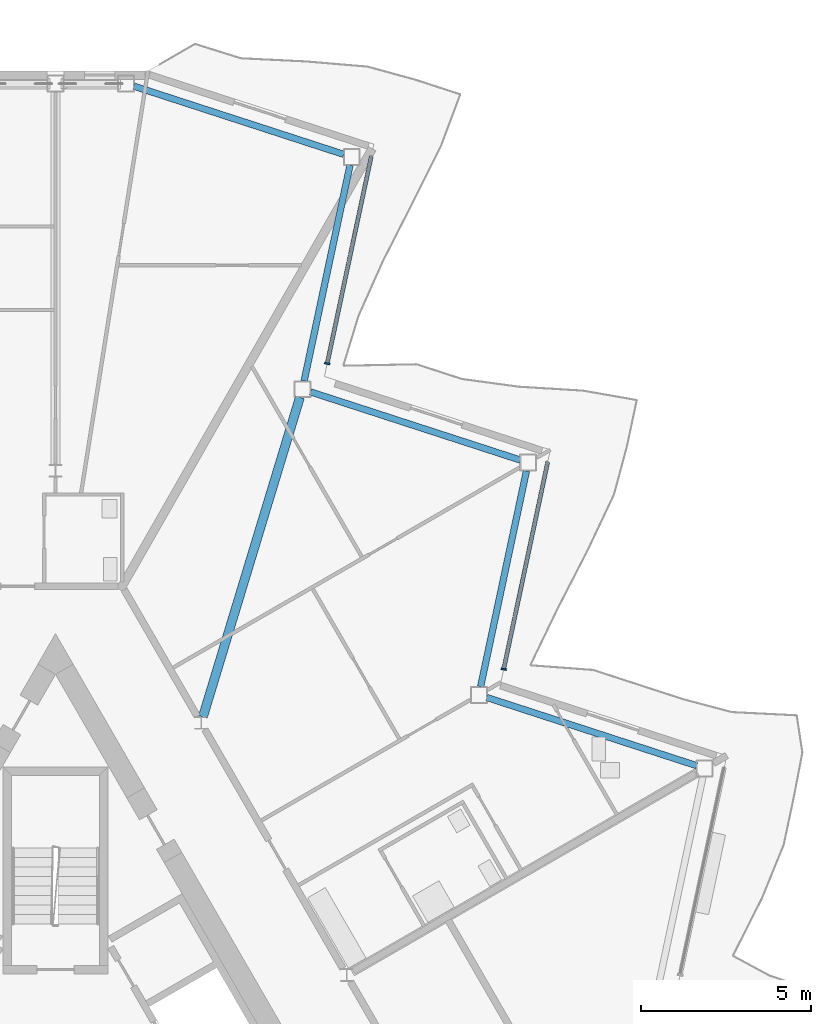
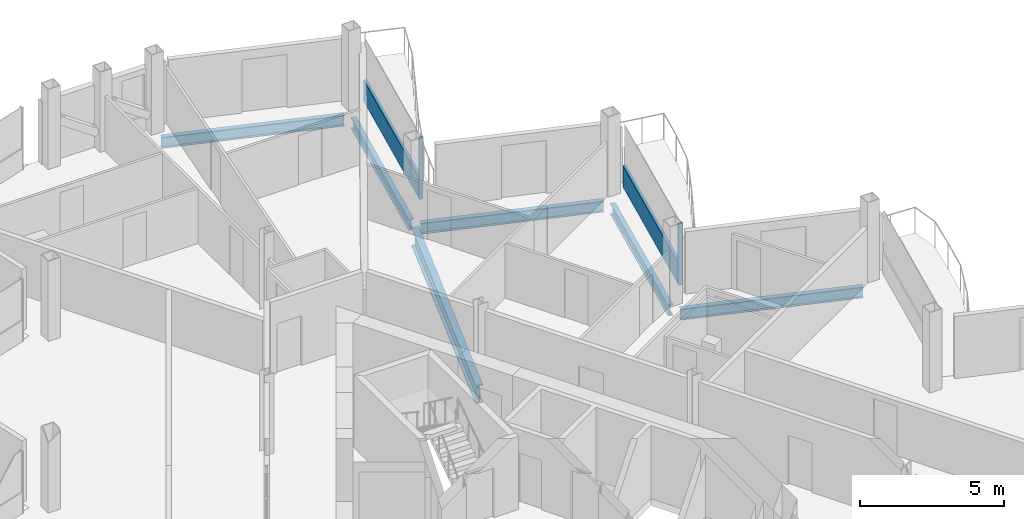
# One storey, part 10 of 26: 6 beams, 4 members, 2 elements without a shape of their own.
"""IFC4 building model written with IfcOpenShell, lengths in metres."""

import ifcopenshell
import ifcopenshell.guid

model = None  # the IFC model being written
_history = None  # IfcOwnerHistory: only IFC2X3 demands one
_inside = {}  # id of a spatial element -> (the spatial element, [elements in it])
_under = {}  # id of a project, library or spatial element -> (it, [spatial elements below it])
_declared = {}  # id of a project -> (the project, [libraries it declares])
_typed = {}  # id of a type object -> (the type object, [elements of that type])
_made_of = {}  # id of a material, layer set ... -> (it, [elements and type objects made of it])


def new_model(schema):
    """Start an empty IFC model of exactly this schema.

    Asked for "IFC4X3", IfcOpenShell would pick the latest addendum, in which some entities
    have other attributes; the version numbers below select the first issue.
    IFC2X3 requires an IfcOwnerHistory on every rooted entity: one is made here for all.
    """
    global model, _history
    if schema == "IFC4X3":
        model = ifcopenshell.file(schema_version=(4, 3, 0, 0))
    else:
        model = ifcopenshell.file(schema=schema)
    _inside.clear()
    _under.clear()
    _declared.clear()
    _typed.clear()
    _made_of.clear()
    _history = None
    if model.schema == "IFC2X3":
        org = make("IfcOrganization", Name="unknown")
        user = make(
            "IfcPersonAndOrganization",
            ThePerson=make("IfcPerson", FamilyName="unknown"),
            TheOrganization=org,
        )
        app = make(
            "IfcApplication",
            ApplicationDeveloper=org,
            Version="unknown",
            ApplicationFullName="unknown",
            ApplicationIdentifier="unknown",
        )
        _history = make(
            "IfcOwnerHistory",
            OwningUser=user,
            OwningApplication=app,
            ChangeAction="ADDED",
            CreationDate=0,
        )
    return model


def make(cls, **values):
    """One entity of the class cls with the attributes given. An attribute that is None is left unset."""
    return model.create_entity(
        cls, **{name: value for name, value in values.items() if value is not None}
    )


def rooted(cls, **values):
    """An entity with a GlobalId (a new one), such as an element, a storey or a relation."""
    return make(cls, GlobalId=ifcopenshell.guid.new(), OwnerHistory=_history, **values)


def si_unit(unit_type, name, prefix=None):
    """IfcSIUnit, for example si_unit("LENGTHUNIT", "METRE", prefix="MILLI")."""
    return make("IfcSIUnit", UnitType=unit_type, Prefix=prefix, Name=name)


def assignment(units):
    """IfcUnitAssignment: the units of a project."""
    return None if units is None else make("IfcUnitAssignment", Units=units)


def point(xyz):
    """IfcCartesianPoint."""
    return None if xyz is None else make("IfcCartesianPoint", Coordinates=xyz)


def direction(xyz):
    """IfcDirection."""
    return None if xyz is None else make("IfcDirection", DirectionRatios=xyz)


def frame(location, z_axis=None, x_axis=None):
    """IfcAxis2Placement3D, a coordinate frame: its origin and axes. An axis left out is left unset."""
    return make(
        "IfcAxis2Placement3D",
        Location=point(location),
        Axis=direction(z_axis),
        RefDirection=direction(x_axis),
    )


def frame_2d(location, x_axis=None):
    """IfcAxis2Placement2D, a coordinate frame in the plane: its origin and x axis."""
    return make(
        "IfcAxis2Placement2D", Location=point(location), RefDirection=direction(x_axis)
    )


def origin():
    """The frame at (0, 0, 0) with its axes left unset."""
    return frame((0.0, 0.0, 0.0))


def origin_2d():
    """The frame at (0, 0) in the plane with its x axis left unset."""
    return frame_2d((0.0, 0.0))


def place(relative_to, where):
    """IfcLocalPlacement: puts the frame where relative to a parent placement (None: the world)."""
    return make(
        "IfcLocalPlacement", PlacementRelTo=relative_to, RelativePlacement=where
    )


def context(
    kind, dimensions, precision=None, world=None, true_north=None, identifier=None
):
    """IfcGeometricRepresentationContext, for example the 3D "Model" context."""
    return make(
        "IfcGeometricRepresentationContext",
        ContextIdentifier=identifier,
        ContextType=kind,
        CoordinateSpaceDimension=dimensions,
        Precision=precision,
        WorldCoordinateSystem=world,
        TrueNorth=true_north,
    )


def subcontext(parent, identifier, kind, view, scale=None):
    """IfcGeometricRepresentationSubContext, for example "Body" below "Model"."""
    return make(
        "IfcGeometricRepresentationSubContext",
        ContextIdentifier=identifier,
        ContextType=kind,
        ParentContext=parent,
        TargetScale=scale,
        TargetView=view,
    )


def project(units=None, contexts=None):
    """IfcProject with its units and contexts."""
    return rooted(
        "IfcProject",
        Name="project",
        RepresentationContexts=contexts,
        UnitsInContext=assignment(units),
    )


def spatial(cls, under=None, at=None, **own):
    """A site, building, storey or space (cls), placed at a placement, below another one or the project."""
    s = rooted(cls, ObjectPlacement=at, **own)
    if under is not None:
        _under.setdefault(under.id(), (under, []))[1].append(s)
    return s


def profile(cls, at=None, kind="AREA", **sizes):
    """A parametric profile (cls). Its sizes go by their IFC names, for example OverallWidth=200.0."""
    return make(cls, ProfileType=kind, Position=at, **sizes)


def rectangle(**sizes):
    """IfcRectangleProfileDef."""
    return profile("IfcRectangleProfileDef", **sizes)


def i_section(**sizes):
    """IfcIShapeProfileDef."""
    return profile("IfcIShapeProfileDef", **sizes)


def extrude(swept, where, along, depth):
    """IfcExtrudedAreaSolid: the profile swept, set in the frame where, extruded along a direction by depth."""
    return make(
        "IfcExtrudedAreaSolid",
        SweptArea=swept,
        Position=where,
        ExtrudedDirection=direction(along),
        Depth=depth,
    )


def shape(context_of_items, identifier, shape_type, items):
    """IfcShapeRepresentation: the items that make up one representation, for example the "Body"."""
    return make(
        "IfcShapeRepresentation",
        ContextOfItems=context_of_items,
        RepresentationIdentifier=identifier,
        RepresentationType=shape_type,
        Items=items,
    )


def material(Name=None, Category=None):
    """IfcMaterial."""
    return make("IfcMaterial", Name=Name, Category=Category)


def layer(
    of_material, thickness, ventilated=None, Name=None, Category=None, Priority=None
):
    """IfcMaterialLayer: one layer of a wall or slab, of a material (None: an air gap)."""
    return make(
        "IfcMaterialLayer",
        Material=of_material,
        LayerThickness=thickness,
        IsVentilated=ventilated,
        Name=Name,
        Category=Category,
        Priority=Priority,
    )


def layer_set(layers, Name=None):
    """IfcMaterialLayerSet."""
    return make("IfcMaterialLayerSet", MaterialLayers=layers, LayerSetName=Name)


def material_profile(
    of_material, cross_section, Name=None, Category=None, Priority=None
):
    """IfcMaterialProfile: a cross section and its material."""
    return make(
        "IfcMaterialProfile",
        Name=Name,
        Material=of_material,
        Profile=cross_section,
        Priority=Priority,
        Category=Category,
    )


def profile_set(profiles, Name=None, composite=None):
    """IfcMaterialProfileSet."""
    return make(
        "IfcMaterialProfileSet",
        Name=Name,
        MaterialProfiles=profiles,
        CompositeProfile=composite,
    )


def made_of(thing, what):
    """Note that an element or type object is made of a material, layer set ...; save() writes the relation."""
    if what is not None:
        _made_of.setdefault(what.id(), (what, []))[1].append(thing)
    return thing


def type_object(cls, material=None, **own):
    """A type object (cls), such as IfcWallType, which elements share."""
    return made_of(rooted(cls, **own), material)


def element(
    cls,
    number,
    at=None,
    inside=None,
    cuts=None,
    type_object=None,
    material=None,
    context=None,
    identifier="Body",
    shape_type=None,
    held_by="IfcProductDefinitionShape",
    body=None,
    shapes=None,
    **own,
):
    """One element of the class cls, such as IfcWall. Its Tag is "e" and its number.

    at: its placement. inside: the storey or other place that contains it. cuts: it is an
    opening in that element (IfcRelVoidsElement). A single representation is given by context,
    identifier, shape_type and body (its items); several are given by shapes. held_by: the class
    of the entity that holds the representations. save() writes the other relations.
    """
    e = rooted(cls, Tag="e%d" % number, ObjectPlacement=at, **own)
    if body is not None:
        shapes = [shape(context, identifier, shape_type, body)]
    if shapes is not None:
        e.Representation = make(held_by, Representations=shapes)
    if inside is not None:
        _inside.setdefault(inside.id(), (inside, []))[1].append(e)
    if cuts is not None:
        rooted(
            "IfcRelVoidsElement", RelatingBuildingElement=cuts, RelatedOpeningElement=e
        )
    if type_object is not None:
        _typed.setdefault(type_object.id(), (type_object, []))[1].append(e)
    return made_of(e, material)


def aggregate(whole, parts):
    """IfcRelAggregates: a whole, such as a stair, and the parts it consists of."""
    return rooted("IfcRelAggregates", RelatingObject=whole, RelatedObjects=parts)


def save(model, path):
    """Write the relations noted so far, then the file.

    IfcRelAggregates (storeys below a building ...), IfcRelContainedInSpatialStructure (elements
    in a storey), IfcRelDefinesByType, IfcRelAssociatesMaterial and IfcRelDeclares: one each for
    every whole, place, type object, material and project.
    """
    for whole, parts in _under.values():
        aggregate(whole, parts)
    for where, things in _inside.values():
        rooted(
            "IfcRelContainedInSpatialStructure",
            RelatedElements=things,
            RelatingStructure=where,
        )
    for kind, things in _typed.values():
        rooted("IfcRelDefinesByType", RelatedObjects=things, RelatingType=kind)
    for what, things in _made_of.values():
        rooted("IfcRelAssociatesMaterial", RelatedObjects=things, RelatingMaterial=what)
    for by, libraries in _declared.values():
        rooted("IfcRelDeclares", RelatingContext=by, RelatedDefinitions=libraries)
    model.write(path)


model = new_model("IFC4")

# Units and contexts
model_context = context("Model", 3, precision=1e-05, world=origin(), true_north=direction((0.0, 1.0)))
body_context = subcontext(model_context, "Body", "Model", "MODEL_VIEW")
ifc_project = project(units=[si_unit("LENGTHUNIT", "METRE"), si_unit("AREAUNIT", "SQUARE_METRE"), si_unit("VOLUMEUNIT", "CUBIC_METRE"), si_unit("PLANEANGLEUNIT", "RADIAN"), si_unit("MASSUNIT", "GRAM", prefix="KILO")], contexts=[model_context])

# Site, building, storey
site_placement = place(None, origin())
site = spatial("IfcSite", under=ifc_project, at=site_placement, CompositionType="ELEMENT")
building_placement = place(site_placement, origin())
building = spatial("IfcBuilding", under=site, at=building_placement, Name="Cormorant Prow Tower", CompositionType="ELEMENT")
storey_placement = place(building_placement, frame((0.0, 0.0, 367.800048828125)))
storey = spatial("IfcBuildingStorey", under=building, at=storey_placement, Name="L82", CompositionType="ELEMENT", Elevation=367.800048828125)

# Beam
ifc_material_1 = material(Name="Structural steel ASTM A992 Gr 50", Category="steel")
ifc_material_profile_1 = material_profile(ifc_material_1, i_section(OverallWidth=0.267822265625, OverallDepth=0.77001953125, WebThickness=0.015625, FlangeThickness=0.025390625, at=origin_2d()), Name="W30x132")
ifc_profile_set_1 = profile_set([ifc_material_profile_1], Name="Structural steel ASTM A992 Gr 50")
beam_type_1 = type_object("IfcBeamType", Name="Radial floor beam W30x132", PredefinedType="BEAM", material=ifc_profile_set_1)
beam_1_placement = place(storey_placement, frame((4.343505859375, 12.560791015625, -0.68505859375), z_axis=(0.290499864147, 0.956875033079, 0.0), x_axis=(-0.956875033079, 0.290499864147, 0.0)))
element("IfcBeam", 1, at=beam_1_placement, inside=storey, type_object=beam_type_1, Name="Radial floor beam FB3 12 L82", PredefinedType="BEAM", context=body_context, shape_type="SweptSolid", body=[
    extrude(i_section(OverallWidth=0.267822265625, OverallDepth=0.77001953125, WebThickness=0.015625, FlangeThickness=0.025390625, at=origin_2d()), origin(), (0.0, 0.0, 1.0), 9.837158203125),
])

# Curtain wall, member
ifc_material_2 = material(Name="Aluminium 6063-T6", Category="aluminium")
ifc_layer = layer(ifc_material_2, 0.159912109375)
ifc_layer_set = layer_set([ifc_layer], Name="Aluminium 6063-T6")
curtain_wall_type = type_object("IfcCurtainWallType", Name="Residential unitised curtain wall 160", PredefinedType="NOTDEFINED", material=ifc_layer_set)
curtain_wall_1_placement = place(storey_placement, origin())
curtain_wall_1 = element("IfcCurtainWall", 2, at=curtain_wall_1_placement, inside=storey, type_object=curtain_wall_type, Name="Residential curtain wall ENE06", PredefinedType="NOTDEFINED")
ifc_material_3 = material(Name="Aluminium 6063-T6", Category="aluminium")
ifc_material_profile_2 = material_profile(ifc_material_3, rectangle(XDim=0.159912109375, YDim=0.050048828125, at=origin_2d()), Name="Residential mullion 50x160")
ifc_profile_set_2 = profile_set([ifc_material_profile_2], Name="Aluminium 6063-T6")
member_type_1 = type_object("IfcMemberType", Name="Residential mullion 50x160", PredefinedType="MULLION", material=ifc_profile_set_2)
member_1_placement = place(storey_placement, frame((13.2060546875, 13.96435546875, 0.0), z_axis=(0.0, 0.0, 1.0), x_axis=(-0.978147586701, 0.207911756835, 0.0)))
member_1 = element("IfcMember", 3, at=member_1_placement, type_object=member_type_1, Name="Residential mullion ENE06", PredefinedType="MULLION", context=body_context, shape_type="SweptSolid", body=[
    extrude(rectangle(XDim=0.159912109375, YDim=0.050048828125, at=origin_2d()), origin(), (0.0, 0.0, 1.0), 2.6337890625),
])

curtain_wall_2_placement = place(storey_placement, origin())
curtain_wall_2 = element("IfcCurtainWall", 4, at=curtain_wall_2_placement, inside=storey, type_object=curtain_wall_type, Name="Residential curtain wall ENE08", PredefinedType="NOTDEFINED")
member_2_placement = place(storey_placement, frame((8.006103515625, 22.97119140625, 0.0), z_axis=(0.0, 0.0, 1.0), x_axis=(-0.978147586701, 0.207911756835, 0.0)))
member_2 = element("IfcMember", 5, at=member_2_placement, type_object=member_type_1, Name="Residential mullion ENE08", PredefinedType="MULLION", context=body_context, shape_type="SweptSolid", body=[
    extrude(rectangle(XDim=0.159912109375, YDim=0.050048828125, at=origin_2d()), origin(), (0.0, 0.0, 1.0), 2.6337890625),
])

# Member
ifc_material_4 = material(Name="Terracotta", Category="masonry")
ifc_material_profile_3 = material_profile(ifc_material_4, rectangle(XDim=0.1201171875, YDim=0.89990234375, at=origin_2d()), Name="Residential terracotta spandrel rail 120x900")
ifc_profile_set_3 = profile_set([ifc_material_profile_3], Name="Terracotta")
member_type_2 = type_object("IfcMemberType", Name="Residential terracotta spandrel rail 120x900", PredefinedType="USERDEFINED", material=ifc_profile_set_3)
member_3_placement = place(storey_placement, frame((13.211181640625, 13.989013671875, 0.449951171875), z_axis=(0.207916541247, 0.978146569731, 0.0), x_axis=(-0.978146569731, 0.207916541247, 0.0)))
member_3 = element("IfcMember", 6, at=member_3_placement, type_object=member_type_2, Name="Residential spandrel rail ENE06", ObjectType="TRANSOM", PredefinedType="USERDEFINED", context=body_context, shape_type="SweptSolid", body=[
    extrude(rectangle(XDim=0.1201171875, YDim=0.89990234375, at=origin_2d()), origin(), (0.0, 0.0, 1.0), 6.215087890625),
])

aggregate(curtain_wall_1, [member_1, member_3])

member_4_placement = place(storey_placement, frame((8.01123046875, 22.99560546875, 0.449951171875), z_axis=(0.207916541247, 0.978146569731, 0.0), x_axis=(-0.978146569731, 0.207916541247, 0.0)))
member_4 = element("IfcMember", 7, at=member_4_placement, type_object=member_type_2, Name="Residential spandrel rail ENE08", ObjectType="TRANSOM", PredefinedType="USERDEFINED", context=body_context, shape_type="SweptSolid", body=[
    extrude(rectangle(XDim=0.1201171875, YDim=0.89990234375, at=origin_2d()), origin(), (0.0, 0.0, 1.0), 6.215087890625),
])

aggregate(curtain_wall_2, [member_2, member_4])

# Beams
ifc_material_5 = material(Name="Structural steel ASTM A992 Gr 50", Category="steel")
ifc_material_profile_4 = material_profile(ifc_material_5, i_section(OverallWidth=0.19287109375, OverallDepth=0.466064453125, WebThickness=0.011474609375, FlangeThickness=0.01904296875, at=origin_2d()), Name="W18x65")
ifc_profile_set_4 = profile_set([ifc_material_profile_4], Name="Structural steel ASTM A992 Gr 50")
beam_type_2 = type_object("IfcBeamType", Name="Spandrel beam W18x65", PredefinedType="SPANDREL", material=ifc_profile_set_4)
beam_2_placement = place(storey_placement, frame((18.890869140625, 11.12109375, -0.533203125), z_axis=(-0.951053396625, 0.309026595569, 0.0), x_axis=(-0.309026595569, -0.951053396625, 0.0)))
element("IfcBeam", 8, at=beam_2_placement, inside=storey, type_object=beam_type_2, Name="Spandrel beam SB4 ENE05-ENE06 L82", PredefinedType="SPANDREL", context=body_context, shape_type="SweptSolid", body=[
    extrude(i_section(OverallWidth=0.19287109375, OverallDepth=0.466064453125, WebThickness=0.011474609375, FlangeThickness=0.01904296875, at=origin_2d()), origin(), (0.0, 0.0, 1.0), 6.497314453125),
])
beam_3_placement = place(storey_placement, frame((12.52587890625, 13.45068359375, -0.533203125), z_axis=(0.207901897373, 0.978149682344, 0.0), x_axis=(-0.978149682344, 0.207901897373, 0.0)))
element("IfcBeam", 9, at=beam_3_placement, inside=storey, type_object=beam_type_2, Name="Spandrel beam SB4 ENE06-ENE07 L82", PredefinedType="SPANDREL", context=body_context, shape_type="SweptSolid", body=[
    extrude(i_section(OverallWidth=0.19287109375, OverallDepth=0.466064453125, WebThickness=0.011474609375, FlangeThickness=0.01904296875, at=origin_2d()), origin(), (0.0, 0.0, 1.0), 6.49755859375),
])
beam_4_placement = place(storey_placement, frame((13.69091796875, 20.1279296875, -0.533203125), z_axis=(-0.951068027308, 0.308981564875, 0.0), x_axis=(-0.308981564875, -0.951068027308, 0.0)))
element("IfcBeam", 10, at=beam_4_placement, inside=storey, type_object=beam_type_2, Name="Spandrel beam SB4 ENE07-ENE08 L82", PredefinedType="SPANDREL", context=body_context, shape_type="SweptSolid", body=[
    extrude(i_section(OverallWidth=0.19287109375, OverallDepth=0.466064453125, WebThickness=0.011474609375, FlangeThickness=0.01904296875, at=origin_2d()), origin(), (0.0, 0.0, 1.0), 6.497314453125),
])
for number, where, z_axis, x_axis, name in (
    (11, (7.32568359375, 22.457275390625, -0.533203125), (0.20793784774, 0.978142040543, 0.0), (-0.978142040543, 0.20793784774, 0.0), "Spandrel beam SB4 ENE08-ENE09 L82"),
    (12, (8.490966796875, 29.134521484375, -0.533203125), (-0.951056984862, 0.30901555227, 0.0), (-0.30901555227, -0.951056984862, 0.0), "Spandrel beam SB4 ENE09-N00 L82"),
):
    element("IfcBeam", number, at=place(storey_placement, frame(where, z_axis=z_axis, x_axis=x_axis)), inside=storey, type_object=beam_type_2, Name=name, PredefinedType="SPANDREL", context=body_context, shape_type="SweptSolid", body=[
        extrude(i_section(OverallWidth=0.19287109375, OverallDepth=0.466064453125, WebThickness=0.011474609375, FlangeThickness=0.01904296875, at=origin_2d()), origin(), (0.0, 0.0, 1.0), 6.49755859375),
    ])

save(model, "model.ifc")
